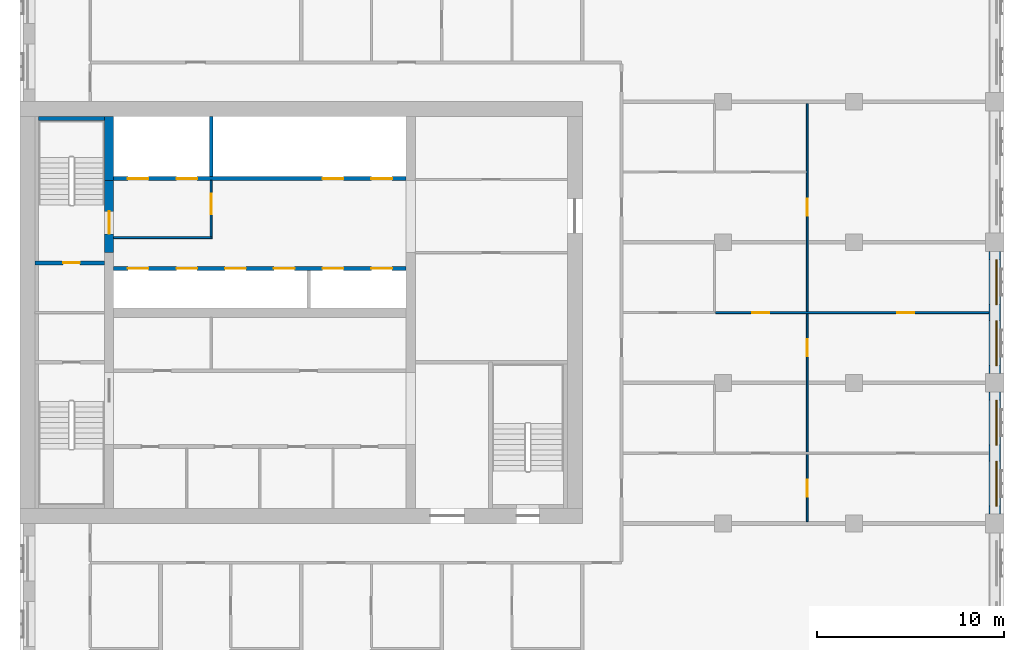
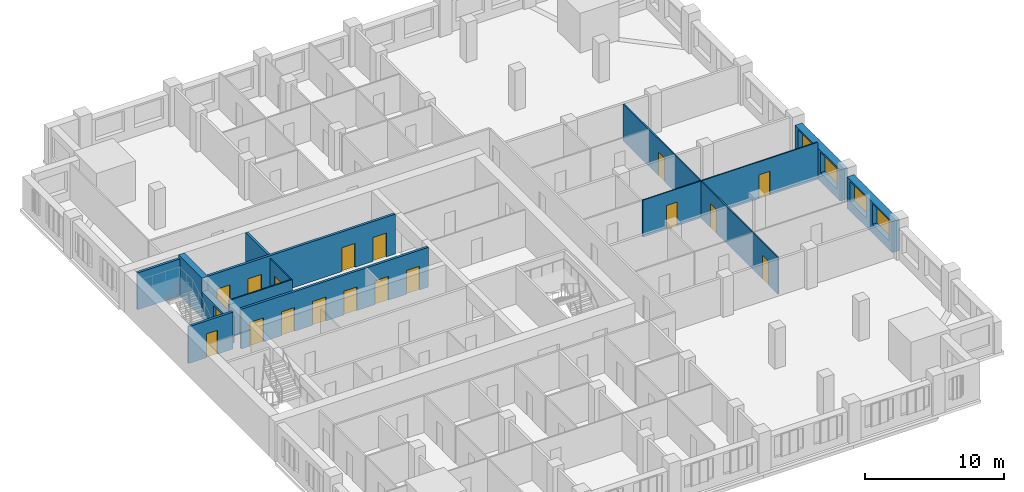
# One storey, part 9 of 14: 18 doors, 13 walls, 4 windows, 22 openings.
"""IFC4 building model written with IfcOpenShell, lengths in metres."""

from ifc_helpers import new_model, si_unit, direction, frame, frame_2d, origin, place, context, subcontext, project, spatial, rectangle, extrude, material, layer, layer_set, type_object, element, fill, save


model = new_model("IFC4")

# Units and contexts
model_context = context("Model", 3, precision=1e-05, world=origin(), true_north=direction((0.0, 1.0)))
body_context = subcontext(model_context, "Body", "Model", "MODEL_VIEW")
ifc_project = project(units=[si_unit("LENGTHUNIT", "METRE"), si_unit("AREAUNIT", "SQUARE_METRE"), si_unit("VOLUMEUNIT", "CUBIC_METRE"), si_unit("PLANEANGLEUNIT", "RADIAN"), si_unit("MASSUNIT", "GRAM", prefix="KILO")], contexts=[model_context])

# Site, building, storey
site_placement = place(None, origin())
site = spatial("IfcSite", under=ifc_project, at=site_placement, CompositionType="ELEMENT")
building_placement = place(site_placement, origin())
building = spatial("IfcBuilding", under=site, at=building_placement, Name="Tamorin Gate", CompositionType="ELEMENT")
storey_placement = place(building_placement, frame((0.0, 0.0, 186.199951171875)))
storey = spatial("IfcBuildingStorey", under=building, at=storey_placement, Name="L45", CompositionType="ELEMENT", Elevation=186.199951171875)

# Wall, openings, windows
ifc_material_1 = material(Name="Precast concrete C40/50", Category="concrete")
ifc_layer_1 = layer(ifc_material_1, 0.60009765625)
ifc_layer_set_1 = layer_set([ifc_layer_1], Name="Precast concrete C40/50")
wall_type_1 = type_object("IfcWallType", Name="Board-marked concrete facade panel 600", PredefinedType="SOLIDWALL", material=ifc_layer_set_1)
wall_1_placement = place(storey_placement, frame((82.0, 60.5, 0.0), z_axis=(0.0, 0.0, 1.0), x_axis=(0.0, 1.0, 0.0)))
wall_1 = element("IfcWall", 1, at=wall_1_placement, inside=storey, type_object=wall_type_1, Name="Facade panel", PredefinedType="SOLIDWALL", context=body_context, shape_type="SweptSolid", body=[
    extrude(rectangle(XDim=6.5, YDim=0.60009765625, at=frame_2d((3.25, 0.0))), origin(), (0.0, 0.0, 1.0), 2.75),
])
opening_1_placement = place(wall_1_placement, frame((0.425048828125, 0.0, 0.800048828125)))
opening_1 = element("IfcOpeningElement", 2, at=opening_1_placement, cuts=wall_1, Name="Opening WN1", PredefinedType="OPENING", context=body_context, shape_type="SweptSolid", body=[
    extrude(rectangle(XDim=2.39990234375, YDim=1.800048828125, at=frame_2d((1.199951171875, 0.89990234375))), frame((0.0, 0.31005859375, 0.0), z_axis=(0.0, -1.0, 0.0), x_axis=(1.0, 0.0, 0.0)), (0.0, 0.0, 1.0), 0.6201171875),
])
opening_2_placement = place(wall_1_placement, frame((3.675048828125, 0.0, 0.800048828125)))
opening_2 = element("IfcOpeningElement", 3, at=opening_2_placement, cuts=wall_1, Name="Opening WN1", PredefinedType="OPENING", context=body_context, shape_type="SweptSolid", body=[
    extrude(rectangle(XDim=2.39990234375, YDim=1.800048828125, at=frame_2d((1.199951171875, 0.89990234375))), frame((0.0, 0.31005859375, 0.0), z_axis=(0.0, -1.0, 0.0), x_axis=(1.0, 0.0, 0.0)), (0.0, 0.0, 1.0), 0.6201171875),
])
ifc_material_2 = material(Name="Clear glass in aluminium frame", Category="aluminium")
window_type = type_object("IfcWindowType", Name="Deep-set window 2400x1800", PartitioningType="SINGLE_PANEL", PredefinedType="WINDOW", material=ifc_material_2)
window_1_placement = place(opening_1_placement, origin())
window_1 = element("IfcWindow", 4, at=window_1_placement, inside=storey, type_object=window_type, Name="Deep-set window", OverallHeight=1.800048828125, OverallWidth=2.39990234375, PartitioningType="SINGLE_PANEL", PredefinedType="WINDOW", context=body_context, shape_type="SweptSolid", body=[
    extrude(rectangle(XDim=2.39990234375, YDim=1.800048828125, at=frame_2d((1.199951171875, 0.89990234375))), frame((0.0, -0.070068359375, 0.0), z_axis=(0.0, -1.0, 0.0), x_axis=(1.0, 0.0, 0.0)), (0.0, 0.0, 1.0), 0.06005859375),
])
fill(opening_1, window_1)
window_2_placement = place(opening_2_placement, origin())
window_2 = element("IfcWindow", 5, at=window_2_placement, inside=storey, type_object=window_type, Name="Deep-set window", OverallHeight=1.800048828125, OverallWidth=2.39990234375, PartitioningType="SINGLE_PANEL", PredefinedType="WINDOW", context=body_context, shape_type="SweptSolid", body=[
    extrude(rectangle(XDim=2.39990234375, YDim=1.800048828125, at=frame_2d((1.199951171875, 0.89990234375))), frame((0.0, -0.070068359375, 0.0), z_axis=(0.0, -1.0, 0.0), x_axis=(1.0, 0.0, 0.0)), (0.0, 0.0, 1.0), 0.06005859375),
])
fill(opening_2, window_2)

wall_2_placement = place(storey_placement, frame((82.0, 68.0, 0.0), z_axis=(0.0, 0.0, 1.0), x_axis=(0.0, 1.0, 0.0)))
wall_2 = element("IfcWall", 6, at=wall_2_placement, inside=storey, type_object=wall_type_1, Name="Facade panel", PredefinedType="SOLIDWALL", context=body_context, shape_type="SweptSolid", body=[
    extrude(rectangle(XDim=6.5, YDim=0.60009765625, at=frame_2d((3.25, 0.0))), origin(), (0.0, 0.0, 1.0), 2.75),
])
opening_3_placement = place(wall_2_placement, frame((0.425048828125, 0.0, 0.800048828125)))
opening_3 = element("IfcOpeningElement", 7, at=opening_3_placement, cuts=wall_2, Name="Opening WN1", PredefinedType="OPENING", context=body_context, shape_type="SweptSolid", body=[
    extrude(rectangle(XDim=2.39990234375, YDim=1.800048828125, at=frame_2d((1.199951171875, 0.89990234375))), frame((0.0, 0.31005859375, 0.0), z_axis=(0.0, -1.0, 0.0), x_axis=(1.0, 0.0, 0.0)), (0.0, 0.0, 1.0), 0.6201171875),
])
opening_4_placement = place(wall_2_placement, frame((3.675048828125, 0.0, 0.800048828125)))
opening_4 = element("IfcOpeningElement", 8, at=opening_4_placement, cuts=wall_2, Name="Opening WN1", PredefinedType="OPENING", context=body_context, shape_type="SweptSolid", body=[
    extrude(rectangle(XDim=2.39990234375, YDim=1.800048828125, at=frame_2d((1.199951171875, 0.89990234375))), frame((0.0, 0.31005859375, 0.0), z_axis=(0.0, -1.0, 0.0), x_axis=(1.0, 0.0, 0.0)), (0.0, 0.0, 1.0), 0.6201171875),
])
window_3_placement = place(opening_3_placement, origin())
window_3 = element("IfcWindow", 9, at=window_3_placement, inside=storey, type_object=window_type, Name="Deep-set window", OverallHeight=1.800048828125, OverallWidth=2.39990234375, PartitioningType="SINGLE_PANEL", PredefinedType="WINDOW", context=body_context, shape_type="SweptSolid", body=[
    extrude(rectangle(XDim=2.39990234375, YDim=1.800048828125, at=frame_2d((1.199951171875, 0.89990234375))), frame((0.0, -0.070068359375, 0.0), z_axis=(0.0, -1.0, 0.0), x_axis=(1.0, 0.0, 0.0)), (0.0, 0.0, 1.0), 0.06005859375),
])
fill(opening_3, window_3)
window_4_placement = place(opening_4_placement, origin())
window_4 = element("IfcWindow", 10, at=window_4_placement, inside=storey, type_object=window_type, Name="Deep-set window", OverallHeight=1.800048828125, OverallWidth=2.39990234375, PartitioningType="SINGLE_PANEL", PredefinedType="WINDOW", context=body_context, shape_type="SweptSolid", body=[
    extrude(rectangle(XDim=2.39990234375, YDim=1.800048828125, at=frame_2d((1.199951171875, 0.89990234375))), frame((0.0, -0.070068359375, 0.0), z_axis=(0.0, -1.0, 0.0), x_axis=(1.0, 0.0, 0.0)), (0.0, 0.0, 1.0), 0.06005859375),
])
fill(opening_4, window_4)

# Wall, openings, doors
ifc_material_3 = material(Name="Concrete C32/40", Category="concrete")
ifc_layer_2 = layer(ifc_material_3, 0.199951171875)
ifc_layer_set_2 = layer_set([ifc_layer_2], Name="Lift lobby face wall 200 EI 120")
wall_type_2 = type_object("IfcWallType", Name="Lift lobby face wall 200 EI 120", PredefinedType="SOLIDWALL", material=ifc_layer_set_2)
wall_3_placement = place(storey_placement, frame((35.0, 73.60009765625, 0.0), z_axis=(0.0, 0.0, 1.0), x_axis=(1.0, 0.0, 0.0)))
wall_3 = element("IfcWall", 11, at=wall_3_placement, inside=storey, type_object=wall_type_2, Name="Lift lobby face wall", PredefinedType="SOLIDWALL", context=body_context, shape_type="SweptSolid", body=[
    extrude(rectangle(XDim=15.60009765625, YDim=0.199951171875, at=frame_2d((7.800048828125, 0.0))), origin(), (0.0, 0.0, 1.0), 3.5),
])
opening_5_placement = place(wall_3_placement, frame((0.75, 0.0, 0.0)))
opening_5 = element("IfcOpeningElement", 12, at=opening_5_placement, cuts=wall_3, Name="Opening LD11", PredefinedType="OPENING", context=body_context, shape_type="SweptSolid", body=[
    extrude(rectangle(XDim=1.10009765625, YDim=2.10009765625, at=frame_2d((0.550048828125, 1.050048828125))), frame((0.0, 0.10986328125, 0.0), z_axis=(0.0, -1.0, 0.0), x_axis=(1.0, 0.0, 0.0)), (0.0, 0.0, 1.0), 0.219970703125),
])
opening_6_placement = place(wall_3_placement, frame((3.35009765625, 0.0, 0.0)))
opening_6 = element("IfcOpeningElement", 13, at=opening_6_placement, cuts=wall_3, Name="Opening LD12", PredefinedType="OPENING", context=body_context, shape_type="SweptSolid", body=[
    extrude(rectangle(XDim=1.10009765625, YDim=2.10009765625, at=frame_2d((0.550048828125, 1.050048828125))), frame((0.0, 0.10986328125, 0.0), z_axis=(0.0, -1.0, 0.0), x_axis=(1.0, 0.0, 0.0)), (0.0, 0.0, 1.0), 0.219970703125),
])
opening_7_placement = place(wall_3_placement, frame((5.949951171875, 0.0, 0.0)))
opening_7 = element("IfcOpeningElement", 14, at=opening_7_placement, cuts=wall_3, Name="Opening LD13", PredefinedType="OPENING", context=body_context, shape_type="SweptSolid", body=[
    extrude(rectangle(XDim=1.10009765625, YDim=2.10009765625, at=frame_2d((0.550048828125, 1.050048828125))), frame((0.0, 0.10986328125, 0.0), z_axis=(0.0, -1.0, 0.0), x_axis=(1.0, 0.0, 0.0)), (0.0, 0.0, 1.0), 0.219970703125),
])
opening_8_placement = place(wall_3_placement, frame((8.550048828125, 0.0, 0.0)))
opening_8 = element("IfcOpeningElement", 15, at=opening_8_placement, cuts=wall_3, Name="Opening LD14", PredefinedType="OPENING", context=body_context, shape_type="SweptSolid", body=[
    extrude(rectangle(XDim=1.10009765625, YDim=2.10009765625, at=frame_2d((0.550048828125, 1.050048828125))), frame((0.0, 0.10986328125, 0.0), z_axis=(0.0, -1.0, 0.0), x_axis=(1.0, 0.0, 0.0)), (0.0, 0.0, 1.0), 0.219970703125),
])
opening_9_placement = place(wall_3_placement, frame((11.14990234375, 0.0, 0.0)))
opening_9 = element("IfcOpeningElement", 16, at=opening_9_placement, cuts=wall_3, Name="Opening LD15", PredefinedType="OPENING", context=body_context, shape_type="SweptSolid", body=[
    extrude(rectangle(XDim=1.10009765625, YDim=2.10009765625, at=frame_2d((0.550048828125, 1.050048828125))), frame((0.0, 0.10986328125, 0.0), z_axis=(0.0, -1.0, 0.0), x_axis=(1.0, 0.0, 0.0)), (0.0, 0.0, 1.0), 0.219970703125),
])
opening_10_placement = place(wall_3_placement, frame((13.75, 0.0, 0.0)))
opening_10 = element("IfcOpeningElement", 17, at=opening_10_placement, cuts=wall_3, Name="Opening LD16", PredefinedType="OPENING", context=body_context, shape_type="SweptSolid", body=[
    extrude(rectangle(XDim=1.10009765625, YDim=2.10009765625, at=frame_2d((0.550048828125, 1.050048828125))), frame((0.0, 0.10986328125, 0.0), z_axis=(0.0, -1.0, 0.0), x_axis=(1.0, 0.0, 0.0)), (0.0, 0.0, 1.0), 0.219970703125),
])
ifc_material_4 = material(Name="Stainless steel sliding door", Category="steel")
door_type_1 = type_object("IfcDoorType", Name="Lift landing door 1100 x 2100 E 90", OperationType="DOUBLE_DOOR_SLIDING", PredefinedType="DOOR", material=ifc_material_4)
door_1_placement = place(opening_5_placement, origin())
door_1 = element("IfcDoor", 18, at=door_1_placement, inside=storey, type_object=door_type_1, Name="HR1 landing door", OperationType="DOUBLE_DOOR_SLIDING", OverallHeight=2.10009765625, OverallWidth=1.10009765625, PredefinedType="DOOR", context=body_context, shape_type="SweptSolid", body=[
    extrude(rectangle(XDim=1.10009765625, YDim=2.10009765625, at=frame_2d((0.550048828125, 1.050048828125))), frame((0.0, 0.02490234375, 0.0), z_axis=(0.0, -1.0, 0.0), x_axis=(1.0, 0.0, 0.0)), (0.0, 0.0, 1.0), 0.050048828125),
])
fill(opening_5, door_1)
door_2_placement = place(opening_6_placement, origin())
door_2 = element("IfcDoor", 19, at=door_2_placement, inside=storey, type_object=door_type_1, Name="HR2 landing door", OperationType="DOUBLE_DOOR_SLIDING", OverallHeight=2.10009765625, OverallWidth=1.10009765625, PredefinedType="DOOR", context=body_context, shape_type="SweptSolid", body=[
    extrude(rectangle(XDim=1.10009765625, YDim=2.10009765625, at=frame_2d((0.550048828125, 1.050048828125))), frame((0.0, 0.02490234375, 0.0), z_axis=(0.0, -1.0, 0.0), x_axis=(1.0, 0.0, 0.0)), (0.0, 0.0, 1.0), 0.050048828125),
])
fill(opening_6, door_2)
door_3_placement = place(opening_7_placement, origin())
door_3 = element("IfcDoor", 20, at=door_3_placement, inside=storey, type_object=door_type_1, Name="HR3 landing door", OperationType="DOUBLE_DOOR_SLIDING", OverallHeight=2.10009765625, OverallWidth=1.10009765625, PredefinedType="DOOR", context=body_context, shape_type="SweptSolid", body=[
    extrude(rectangle(XDim=1.10009765625, YDim=2.10009765625, at=frame_2d((0.550048828125, 1.050048828125))), frame((0.0, 0.02490234375, 0.0), z_axis=(0.0, -1.0, 0.0), x_axis=(1.0, 0.0, 0.0)), (0.0, 0.0, 1.0), 0.050048828125),
])
fill(opening_7, door_3)
door_4_placement = place(opening_8_placement, origin())
door_4 = element("IfcDoor", 21, at=door_4_placement, inside=storey, type_object=door_type_1, Name="HR4 landing door", OperationType="DOUBLE_DOOR_SLIDING", OverallHeight=2.10009765625, OverallWidth=1.10009765625, PredefinedType="DOOR", context=body_context, shape_type="SweptSolid", body=[
    extrude(rectangle(XDim=1.10009765625, YDim=2.10009765625, at=frame_2d((0.550048828125, 1.050048828125))), frame((0.0, 0.02490234375, 0.0), z_axis=(0.0, -1.0, 0.0), x_axis=(1.0, 0.0, 0.0)), (0.0, 0.0, 1.0), 0.050048828125),
])
fill(opening_8, door_4)
door_5_placement = place(opening_9_placement, origin())
door_5 = element("IfcDoor", 22, at=door_5_placement, inside=storey, type_object=door_type_1, Name="HR5 landing door", OperationType="DOUBLE_DOOR_SLIDING", OverallHeight=2.10009765625, OverallWidth=1.10009765625, PredefinedType="DOOR", context=body_context, shape_type="SweptSolid", body=[
    extrude(rectangle(XDim=1.10009765625, YDim=2.10009765625, at=frame_2d((0.550048828125, 1.050048828125))), frame((0.0, 0.02490234375, 0.0), z_axis=(0.0, -1.0, 0.0), x_axis=(1.0, 0.0, 0.0)), (0.0, 0.0, 1.0), 0.050048828125),
])
fill(opening_9, door_5)
door_6_placement = place(opening_10_placement, origin())
door_6 = element("IfcDoor", 23, at=door_6_placement, inside=storey, type_object=door_type_1, Name="HR6 landing door", OperationType="DOUBLE_DOOR_SLIDING", OverallHeight=2.10009765625, OverallWidth=1.10009765625, PredefinedType="DOOR", context=body_context, shape_type="SweptSolid", body=[
    extrude(rectangle(XDim=1.10009765625, YDim=2.10009765625, at=frame_2d((0.550048828125, 1.050048828125))), frame((0.0, 0.02490234375, 0.0), z_axis=(0.0, -1.0, 0.0), x_axis=(1.0, 0.0, 0.0)), (0.0, 0.0, 1.0), 0.050048828125),
])
fill(opening_10, door_6)

wall_4_placement = place(storey_placement, frame((35.0, 78.39990234375, 0.0), z_axis=(0.0, 0.0, 1.0), x_axis=(1.0, 0.0, 0.0)))
wall_4 = element("IfcWall", 24, at=wall_4_placement, inside=storey, type_object=wall_type_2, Name="Lift lobby face wall", PredefinedType="SOLIDWALL", context=body_context, shape_type="SweptSolid", body=[
    extrude(rectangle(XDim=15.60009765625, YDim=0.199951171875, at=frame_2d((7.800048828125, 0.0))), origin(), (0.0, 0.0, 1.0), 3.5),
])
opening_11_placement = place(wall_4_placement, frame((0.75, 0.0, 0.0)))
opening_11 = element("IfcOpeningElement", 25, at=opening_11_placement, cuts=wall_4, Name="Opening LD17", PredefinedType="OPENING", context=body_context, shape_type="SweptSolid", body=[
    extrude(rectangle(XDim=1.10009765625, YDim=2.10009765625, at=frame_2d((0.550048828125, 1.050048828125))), frame((0.0, 0.10986328125, 0.0), z_axis=(0.0, -1.0, 0.0), x_axis=(1.0, 0.0, 0.0)), (0.0, 0.0, 1.0), 0.219970703125),
])
opening_12_placement = place(wall_4_placement, frame((3.35009765625, 0.0, 0.0)))
opening_12 = element("IfcOpeningElement", 26, at=opening_12_placement, cuts=wall_4, Name="Opening LD18", PredefinedType="OPENING", context=body_context, shape_type="SweptSolid", body=[
    extrude(rectangle(XDim=1.10009765625, YDim=2.10009765625, at=frame_2d((0.550048828125, 1.050048828125))), frame((0.0, 0.10986328125, 0.0), z_axis=(0.0, -1.0, 0.0), x_axis=(1.0, 0.0, 0.0)), (0.0, 0.0, 1.0), 0.219970703125),
])
opening_13_placement = place(wall_4_placement, frame((11.14990234375, 0.0, 0.0)))
opening_13 = element("IfcOpeningElement", 27, at=opening_13_placement, cuts=wall_4, Name="Opening LD21", PredefinedType="OPENING", context=body_context, shape_type="SweptSolid", body=[
    extrude(rectangle(XDim=1.10009765625, YDim=2.10009765625, at=frame_2d((0.550048828125, 1.050048828125))), frame((0.0, 0.10986328125, 0.0), z_axis=(0.0, -1.0, 0.0), x_axis=(1.0, 0.0, 0.0)), (0.0, 0.0, 1.0), 0.219970703125),
])
opening_14_placement = place(wall_4_placement, frame((13.75, 0.0, 0.0)))
opening_14 = element("IfcOpeningElement", 28, at=opening_14_placement, cuts=wall_4, Name="Opening LD22", PredefinedType="OPENING", context=body_context, shape_type="SweptSolid", body=[
    extrude(rectangle(XDim=1.10009765625, YDim=2.10009765625, at=frame_2d((0.550048828125, 1.050048828125))), frame((0.0, 0.10986328125, 0.0), z_axis=(0.0, -1.0, 0.0), x_axis=(1.0, 0.0, 0.0)), (0.0, 0.0, 1.0), 0.219970703125),
])
door_7_placement = place(opening_11_placement, origin())
door_7 = element("IfcDoor", 29, at=door_7_placement, inside=storey, type_object=door_type_1, Name="FF1 landing door", OperationType="DOUBLE_DOOR_SLIDING", OverallHeight=2.10009765625, OverallWidth=1.10009765625, PredefinedType="DOOR", context=body_context, shape_type="SweptSolid", body=[
    extrude(rectangle(XDim=1.10009765625, YDim=2.10009765625, at=frame_2d((0.550048828125, 1.050048828125))), frame((0.0, 0.02490234375, 0.0), z_axis=(0.0, -1.0, 0.0), x_axis=(1.0, 0.0, 0.0)), (0.0, 0.0, 1.0), 0.050048828125),
])
fill(opening_11, door_7)
door_8_placement = place(opening_12_placement, origin())
door_8 = element("IfcDoor", 30, at=door_8_placement, inside=storey, type_object=door_type_1, Name="FF2 landing door", OperationType="DOUBLE_DOOR_SLIDING", OverallHeight=2.10009765625, OverallWidth=1.10009765625, PredefinedType="DOOR", context=body_context, shape_type="SweptSolid", body=[
    extrude(rectangle(XDim=1.10009765625, YDim=2.10009765625, at=frame_2d((0.550048828125, 1.050048828125))), frame((0.0, 0.02490234375, 0.0), z_axis=(0.0, -1.0, 0.0), x_axis=(1.0, 0.0, 0.0)), (0.0, 0.0, 1.0), 0.050048828125),
])
fill(opening_12, door_8)
door_9_placement = place(opening_13_placement, origin())
door_9 = element("IfcDoor", 31, at=door_9_placement, inside=storey, type_object=door_type_1, Name="SV1 landing door", OperationType="DOUBLE_DOOR_SLIDING", OverallHeight=2.10009765625, OverallWidth=1.10009765625, PredefinedType="DOOR", context=body_context, shape_type="SweptSolid", body=[
    extrude(rectangle(XDim=1.10009765625, YDim=2.10009765625, at=frame_2d((0.550048828125, 1.050048828125))), frame((0.0, 0.02490234375, 0.0), z_axis=(0.0, -1.0, 0.0), x_axis=(1.0, 0.0, 0.0)), (0.0, 0.0, 1.0), 0.050048828125),
])
fill(opening_13, door_9)
door_10_placement = place(opening_14_placement, origin())
door_10 = element("IfcDoor", 32, at=door_10_placement, inside=storey, type_object=door_type_1, Name="SV2 landing door", OperationType="DOUBLE_DOOR_SLIDING", OverallHeight=2.10009765625, OverallWidth=1.10009765625, PredefinedType="DOOR", context=body_context, shape_type="SweptSolid", body=[
    extrude(rectangle(XDim=1.10009765625, YDim=2.10009765625, at=frame_2d((0.550048828125, 1.050048828125))), frame((0.0, 0.02490234375, 0.0), z_axis=(0.0, -1.0, 0.0), x_axis=(1.0, 0.0, 0.0)), (0.0, 0.0, 1.0), 0.050048828125),
])
fill(opening_14, door_10)

# Walls
ifc_layer_3 = layer(ifc_material_3, 0.199951171875)
ifc_layer_set_3 = layer_set([ifc_layer_3], Name="Lift shaft wall 200 EI 120")
wall_type_3 = type_object("IfcWallType", Name="Lift shaft wall 200 EI 120", PredefinedType="SOLIDWALL", material=ifc_layer_set_3)
wall_5_placement = place(storey_placement, frame((40.199951171875, 78.5, 0.0), z_axis=(0.0, 0.0, 1.0), x_axis=(0.0, 1.0, 0.0)))
element("IfcWall", 33, at=wall_5_placement, inside=storey, type_object=wall_type_3, Name="Lift shaft wall", PredefinedType="SOLIDWALL", context=body_context, shape_type="SweptSolid", body=[
    extrude(rectangle(XDim=3.199951171875, YDim=0.199951171875, at=frame_2d((1.60009765625, 0.0))), origin(), (0.0, 0.0, 1.0), 3.5),
])
ifc_material_5 = material(Name="Fire-rated gypsum board partition")
ifc_layer_4 = layer(ifc_material_5, 0.10009765625)
ifc_layer_set_4 = layer_set([ifc_layer_4], Name="Lobby wall 100 EI 60")
wall_type_4 = type_object("IfcWallType", Name="Lobby wall 100 EI 60", PredefinedType="PARTITIONING", material=ifc_layer_set_4)
wall_6_placement = place(storey_placement, frame((35.0, 75.25, 0.0), z_axis=(0.0, 0.0, 1.0), x_axis=(1.0, 0.0, 0.0)))
element("IfcWall", 34, at=wall_6_placement, inside=storey, type_object=wall_type_4, Name="Firefighting lobby wall", PredefinedType="PARTITIONING", context=body_context, shape_type="SweptSolid", body=[
    extrude(rectangle(XDim=5.25, YDim=0.10009765625, at=frame_2d((2.625, 0.0))), origin(), (0.0, 0.0, 1.0), 3.25),
])

# Wall, opening, door
wall_7_placement = place(storey_placement, frame((40.199951171875, 75.300048828125, 0.0), z_axis=(0.0, 0.0, 1.0), x_axis=(0.0, 1.0, 0.0)))
wall_7 = element("IfcWall", 35, at=wall_7_placement, inside=storey, type_object=wall_type_4, Name="Firefighting lobby wall", PredefinedType="PARTITIONING", context=body_context, shape_type="SweptSolid", body=[
    extrude(rectangle(XDim=3.0, YDim=0.10009765625, at=frame_2d((1.5, 0.0))), origin(), (0.0, 0.0, 1.0), 3.25),
])
opening_15_placement = place(wall_7_placement, frame((1.199951171875, 0.0, 0.0)))
opening_15 = element("IfcOpeningElement", 36, at=opening_15_placement, cuts=wall_7, Name="Opening DF1", PredefinedType="OPENING", context=body_context, shape_type="SweptSolid", body=[
    extrude(rectangle(XDim=1.10009765625, YDim=2.10009765625, at=frame_2d((0.550048828125, 1.050048828125))), frame((0.0, 0.06005859375, 0.0), z_axis=(0.0, -1.0, 0.0), x_axis=(1.0, 0.0, 0.0)), (0.0, 0.0, 1.0), 0.1201171875),
])
ifc_material_6 = material(Name="Steel fire door", Category="steel")
door_type_2 = type_object("IfcDoorType", Name="Firefighting lobby door 1100 x 2100 EI 90", OperationType="SINGLE_SWING_LEFT", PredefinedType="DOOR", material=ifc_material_6)
door_11_placement = place(opening_15_placement, origin())
door_11 = element("IfcDoor", 37, at=door_11_placement, inside=storey, type_object=door_type_2, Name="Firefighting lobby door", OperationType="SINGLE_SWING_LEFT", OverallHeight=2.10009765625, OverallWidth=1.10009765625, PredefinedType="DOOR", context=body_context, shape_type="SweptSolid", body=[
    extrude(rectangle(XDim=1.10009765625, YDim=2.10009765625, at=frame_2d((0.550048828125, 1.050048828125))), frame((0.0, 0.02490234375, 0.0), z_axis=(0.0, -1.0, 0.0), x_axis=(1.0, 0.0, 0.0)), (0.0, 0.0, 1.0), 0.050048828125),
])
fill(opening_15, door_11)

# Wall
ifc_material_7 = material(Name="Concrete C60/75", Category="concrete")
ifc_layer_5 = layer(ifc_material_7, 0.5)
ifc_layer_set_5 = layer_set([ifc_layer_5], Name="RC core internal wall 500 C60/75")
wall_type_5 = type_object("IfcWallType", Name="RC core internal wall 500 C60/75", PredefinedType="SHEAR", material=ifc_layer_set_5)
wall_8_placement = place(storey_placement, frame((34.75, 78.300048828125, 0.0), z_axis=(0.0, 0.0, 1.0), x_axis=(0.0, 1.0, 0.0)))
element("IfcWall", 38, at=wall_8_placement, inside=storey, type_object=wall_type_5, Name="Core cross wall L45", PredefinedType="SHEAR", context=body_context, shape_type="SweptSolid", body=[
    extrude(rectangle(XDim=3.39990234375, YDim=0.5, at=frame_2d((1.699951171875, 0.0))), origin(), (0.0, 0.0, 1.0), 3.5),
])

# Wall, openings, doors
ifc_material_8 = material(Name="Gypsum board partition")
ifc_layer_6 = layer(ifc_material_8, 0.10009765625)
ifc_layer_set_6 = layer_set([ifc_layer_6], Name="Room partition 100")
wall_type_6 = type_object("IfcWallType", Name="Room partition 100", PredefinedType="PARTITIONING", material=ifc_layer_set_6)
wall_9_placement = place(storey_placement, frame((67.112548828125, 71.25, 0.0), z_axis=(0.0, 0.0, 1.0), x_axis=(1.0, 0.0, 0.0)))
wall_9 = element("IfcWall", 39, at=wall_9_placement, inside=storey, type_object=wall_type_6, Name="Room partition 100", PredefinedType="PARTITIONING", context=body_context, shape_type="SweptSolid", body=[
    extrude(rectangle(XDim=14.577392578125, YDim=0.10009765625, at=frame_2d((7.28857421875, 0.0))), origin(), (0.0, 0.0, 1.0), 3.25),
])
opening_16_placement = place(wall_9_placement, frame((1.96240234375, 0.0, 0.0)))
opening_16 = element("IfcOpeningElement", 40, at=opening_16_placement, cuts=wall_9, Name="Opening DR3041", PredefinedType="OPENING", context=body_context, shape_type="SweptSolid", body=[
    extrude(rectangle(XDim=0.89990234375, YDim=2.10009765625, at=frame_2d((0.449951171875, 1.050048828125))), frame((0.0, 0.06005859375, 0.0), z_axis=(0.0, -1.0, 0.0), x_axis=(1.0, 0.0, 0.0)), (0.0, 0.0, 1.0), 0.1201171875),
])
opening_17_placement = place(wall_9_placement, frame((9.6875, 0.0, 0.0)))
opening_17 = element("IfcOpeningElement", 41, at=opening_17_placement, cuts=wall_9, Name="Opening DR3043", PredefinedType="OPENING", context=body_context, shape_type="SweptSolid", body=[
    extrude(rectangle(XDim=0.89990234375, YDim=2.10009765625, at=frame_2d((0.449951171875, 1.050048828125))), frame((0.0, 0.06005859375, 0.0), z_axis=(0.0, -1.0, 0.0), x_axis=(1.0, 0.0, 0.0)), (0.0, 0.0, 1.0), 0.1201171875),
])
ifc_material_9 = material(Name="Timber door leaf", Category="wood")
door_type_3 = type_object("IfcDoorType", Name="Door 900 x 2100", OperationType="NOTDEFINED", PredefinedType="DOOR", material=ifc_material_9)
door_12_placement = place(opening_16_placement, origin())
door_12 = element("IfcDoor", 42, at=door_12_placement, inside=storey, type_object=door_type_3, Name="Door DR3041", OperationType="SINGLE_SWING_LEFT", OverallHeight=2.10009765625, OverallWidth=0.89990234375, PredefinedType="DOOR", context=body_context, shape_type="SweptSolid", body=[
    extrude(rectangle(XDim=0.89990234375, YDim=2.10009765625, at=frame_2d((0.449951171875, 1.050048828125))), frame((0.0, 0.02490234375, 0.0), z_axis=(0.0, -1.0, 0.0), x_axis=(1.0, 0.0, 0.0)), (0.0, 0.0, 1.0), 0.050048828125),
])
fill(opening_16, door_12)
door_13_placement = place(opening_17_placement, origin())
door_13 = element("IfcDoor", 43, at=door_13_placement, inside=storey, type_object=door_type_3, Name="Door DR3043", OperationType="SINGLE_SWING_RIGHT", OverallHeight=2.10009765625, OverallWidth=0.89990234375, PredefinedType="DOOR", context=body_context, shape_type="SweptSolid", body=[
    extrude(rectangle(XDim=0.89990234375, YDim=2.10009765625, at=frame_2d((0.449951171875, 1.050048828125))), frame((0.0, 0.02490234375, 0.0), z_axis=(0.0, -1.0, 0.0), x_axis=(1.0, 0.0, 0.0)), (0.0, 0.0, 1.0), 0.050048828125),
])
fill(opening_17, door_13)

wall_10_placement = place(storey_placement, frame((72.0, 60.10009765625, 0.0), z_axis=(0.0, 0.0, 1.0), x_axis=(0.0, 1.0, 0.0)))
wall_10 = element("IfcWall", 44, at=wall_10_placement, inside=storey, type_object=wall_type_6, Name="Room partition 100", PredefinedType="PARTITIONING", context=body_context, shape_type="SweptSolid", body=[
    extrude(rectangle(XDim=22.2998046875, YDim=0.10009765625, at=frame_2d((11.14990234375, 0.0))), origin(), (0.0, 0.0, 1.0), 3.25),
])
opening_18_placement = place(wall_10_placement, frame((1.324951171875, 0.0, 0.0)))
opening_18 = element("IfcOpeningElement", 45, at=opening_18_placement, cuts=wall_10, Name="Opening DR3035", PredefinedType="OPENING", context=body_context, shape_type="SweptSolid", body=[
    extrude(rectangle(XDim=0.89990234375, YDim=2.10009765625, at=frame_2d((0.449951171875, 1.050048828125))), frame((0.0, 0.06005859375, 0.0), z_axis=(0.0, -1.0, 0.0), x_axis=(1.0, 0.0, 0.0)), (0.0, 0.0, 1.0), 0.1201171875),
])
opening_19_placement = place(wall_10_placement, frame((8.824951171875, 0.0, 0.0)))
opening_19 = element("IfcOpeningElement", 46, at=opening_19_placement, cuts=wall_10, Name="Opening DR3040", PredefinedType="OPENING", context=body_context, shape_type="SweptSolid", body=[
    extrude(rectangle(XDim=0.89990234375, YDim=2.10009765625, at=frame_2d((0.449951171875, 1.050048828125))), frame((0.0, 0.06005859375, 0.0), z_axis=(0.0, -1.0, 0.0), x_axis=(1.0, 0.0, 0.0)), (0.0, 0.0, 1.0), 0.1201171875),
])
opening_20_placement = place(wall_10_placement, frame((16.324951171875, 0.0, 0.0)))
opening_20 = element("IfcOpeningElement", 47, at=opening_20_placement, cuts=wall_10, Name="Opening DR3045", PredefinedType="OPENING", context=body_context, shape_type="SweptSolid", body=[
    extrude(rectangle(XDim=0.89990234375, YDim=2.10009765625, at=frame_2d((0.449951171875, 1.050048828125))), frame((0.0, 0.06005859375, 0.0), z_axis=(0.0, -1.0, 0.0), x_axis=(1.0, 0.0, 0.0)), (0.0, 0.0, 1.0), 0.1201171875),
])
door_14_placement = place(opening_18_placement, origin())
door_14 = element("IfcDoor", 48, at=door_14_placement, inside=storey, type_object=door_type_3, Name="Door DR3035", OperationType="SINGLE_SWING_LEFT", OverallHeight=2.10009765625, OverallWidth=0.89990234375, PredefinedType="DOOR", context=body_context, shape_type="SweptSolid", body=[
    extrude(rectangle(XDim=0.89990234375, YDim=2.10009765625, at=frame_2d((0.449951171875, 1.050048828125))), frame((0.0, 0.02490234375, 0.0), z_axis=(0.0, -1.0, 0.0), x_axis=(1.0, 0.0, 0.0)), (0.0, 0.0, 1.0), 0.050048828125),
])
fill(opening_18, door_14)
door_15_placement = place(opening_19_placement, origin())
door_15 = element("IfcDoor", 49, at=door_15_placement, inside=storey, type_object=door_type_3, Name="Door DR3040", OperationType="SINGLE_SWING_LEFT", OverallHeight=2.10009765625, OverallWidth=0.89990234375, PredefinedType="DOOR", context=body_context, shape_type="SweptSolid", body=[
    extrude(rectangle(XDim=0.89990234375, YDim=2.10009765625, at=frame_2d((0.449951171875, 1.050048828125))), frame((0.0, 0.02490234375, 0.0), z_axis=(0.0, -1.0, 0.0), x_axis=(1.0, 0.0, 0.0)), (0.0, 0.0, 1.0), 0.050048828125),
])
fill(opening_19, door_15)
door_16_placement = place(opening_20_placement, origin())
door_16 = element("IfcDoor", 50, at=door_16_placement, inside=storey, type_object=door_type_3, Name="Door DR3045", OperationType="SINGLE_SWING_LEFT", OverallHeight=2.10009765625, OverallWidth=0.89990234375, PredefinedType="DOOR", context=body_context, shape_type="SweptSolid", body=[
    extrude(rectangle(XDim=0.89990234375, YDim=2.10009765625, at=frame_2d((0.449951171875, 1.050048828125))), frame((0.0, 0.02490234375, 0.0), z_axis=(0.0, -1.0, 0.0), x_axis=(1.0, 0.0, 0.0)), (0.0, 0.0, 1.0), 0.050048828125),
])
fill(opening_20, door_16)

# Wall, opening, door
ifc_material_10 = material(Name="Concrete C40/50", Category="concrete")
ifc_layer_7 = layer(ifc_material_10, 0.199951171875)
ifc_layer_set_7 = layer_set([ifc_layer_7], Name="Stair enclosure wall 200 EI 120 C40/50")
wall_type_7 = type_object("IfcWallType", Name="Stair enclosure wall 200 EI 120 C40/50", PredefinedType="SOLIDWALL", material=ifc_layer_set_7)
wall_11_placement = place(storey_placement, frame((30.800048828125, 73.89990234375, 0.0), z_axis=(0.0, 0.0, 1.0), x_axis=(1.0, 0.0, 0.0)))
wall_11 = element("IfcWall", 51, at=wall_11_placement, inside=storey, type_object=wall_type_7, Name="Stair enclosure wall", PredefinedType="SOLIDWALL", context=body_context, shape_type="SweptSolid", body=[
    extrude(rectangle(XDim=3.699951171875, YDim=0.199951171875, at=frame_2d((1.85009765625, 0.0))), origin(), (0.0, 0.0, 1.0), 3.25),
])
opening_21_placement = place(wall_11_placement, frame((1.5, 0.0, 0.0)))
opening_21 = element("IfcOpeningElement", 52, at=opening_21_placement, cuts=wall_11, Name="Opening DR1", PredefinedType="OPENING", context=body_context, shape_type="SweptSolid", body=[
    extrude(rectangle(XDim=0.89990234375, YDim=2.10009765625, at=frame_2d((0.449951171875, 1.050048828125))), frame((0.0, 0.10986328125, 0.0), z_axis=(0.0, -1.0, 0.0), x_axis=(1.0, 0.0, 0.0)), (0.0, 0.0, 1.0), 0.219970703125),
])
door_type_4 = type_object("IfcDoorType", Name="Riser access door 900 x 2100 EI 120", OperationType="SINGLE_SWING_LEFT", PredefinedType="DOOR", material=ifc_material_6)
door_17_placement = place(opening_21_placement, origin())
door_17 = element("IfcDoor", 53, at=door_17_placement, inside=storey, type_object=door_type_4, Name="Communications riser door", OperationType="SINGLE_SWING_RIGHT", OverallHeight=2.10009765625, OverallWidth=0.89990234375, PredefinedType="DOOR", context=body_context, shape_type="SweptSolid", body=[
    extrude(rectangle(XDim=0.89990234375, YDim=2.10009765625, at=frame_2d((0.449951171875, 1.050048828125))), frame((0.0, 0.02490234375, 0.0), z_axis=(0.0, -1.0, 0.0), x_axis=(1.0, 0.0, 0.0)), (0.0, 0.0, 1.0), 0.050048828125),
])
fill(opening_21, door_17)

# Wall
ifc_layer_8 = layer(ifc_material_7, 0.199951171875)
ifc_layer_set_8 = layer_set([ifc_layer_8], Name="Stair lining wall 200 EI 120 C60/75")
wall_type_8 = type_object("IfcWallType", Name="Stair lining wall 200 EI 120 C60/75", PredefinedType="SOLIDWALL", material=ifc_layer_set_8)
wall_12_placement = place(storey_placement, frame((31.0, 81.60009765625, 0.0), z_axis=(0.0, 0.0, 1.0), x_axis=(1.0, 0.0, 0.0)))
element("IfcWall", 54, at=wall_12_placement, inside=storey, type_object=wall_type_8, Name="Stair lining wall", PredefinedType="SOLIDWALL", context=body_context, shape_type="SweptSolid", body=[
    extrude(rectangle(XDim=3.5, YDim=0.199951171875, at=frame_2d((1.75, 0.0))), origin(), (0.0, 0.0, 1.0), 3.25),
])

# Wall, opening, door
ifc_layer_9 = layer(ifc_material_3, 0.5)
ifc_layer_set_9 = layer_set([ifc_layer_9], Name="Stair lobby infill wall 500 EI 120")
wall_type_9 = type_object("IfcWallType", Name="Stair lobby infill wall 500 EI 120", PredefinedType="SOLIDWALL", material=ifc_layer_set_9)
wall_13_placement = place(storey_placement, frame((34.75, 74.449951171875, 0.0), z_axis=(0.0, 0.0, 1.0), x_axis=(0.0, 1.0, 0.0)))
wall_13 = element("IfcWall", 55, at=wall_13_placement, inside=storey, type_object=wall_type_9, Name="Stair lobby infill wall", PredefinedType="SOLIDWALL", context=body_context, shape_type="SweptSolid", body=[
    extrude(rectangle(XDim=3.85009765625, YDim=0.5, at=frame_2d((1.925048828125, 0.0))), origin(), (0.0, 0.0, 1.0), 2.300048828125),
])
opening_22_placement = place(wall_13_placement, frame((1.0, 0.0, 0.0)))
opening_22 = element("IfcOpeningElement", 56, at=opening_22_placement, cuts=wall_13, Name="Opening DS1", PredefinedType="OPENING", context=body_context, shape_type="SweptSolid", body=[
    extrude(rectangle(XDim=1.199951171875, YDim=2.10009765625, at=frame_2d((0.60009765625, 1.050048828125))), frame((0.0, 0.260009765625, 0.0), z_axis=(0.0, -1.0, 0.0), x_axis=(1.0, 0.0, 0.0)), (0.0, 0.0, 1.0), 0.52001953125),
])
door_type_5 = type_object("IfcDoorType", Name="Stair door 1200 x 2100 EI 90", OperationType="SINGLE_SWING_LEFT", PredefinedType="DOOR", material=ifc_material_6)
door_18_placement = place(opening_22_placement, origin())
door_18 = element("IfcDoor", 57, at=door_18_placement, inside=storey, type_object=door_type_5, Name="ST2 door", OperationType="SINGLE_SWING_RIGHT", OverallHeight=2.10009765625, OverallWidth=1.199951171875, PredefinedType="DOOR", context=body_context, shape_type="SweptSolid", body=[
    extrude(rectangle(XDim=1.199951171875, YDim=2.10009765625, at=frame_2d((0.60009765625, 1.050048828125))), frame((0.0, 0.02490234375, 0.0), z_axis=(0.0, -1.0, 0.0), x_axis=(1.0, 0.0, 0.0)), (0.0, 0.0, 1.0), 0.050048828125),
])
fill(opening_22, door_18)

save(model, "model.ifc")
